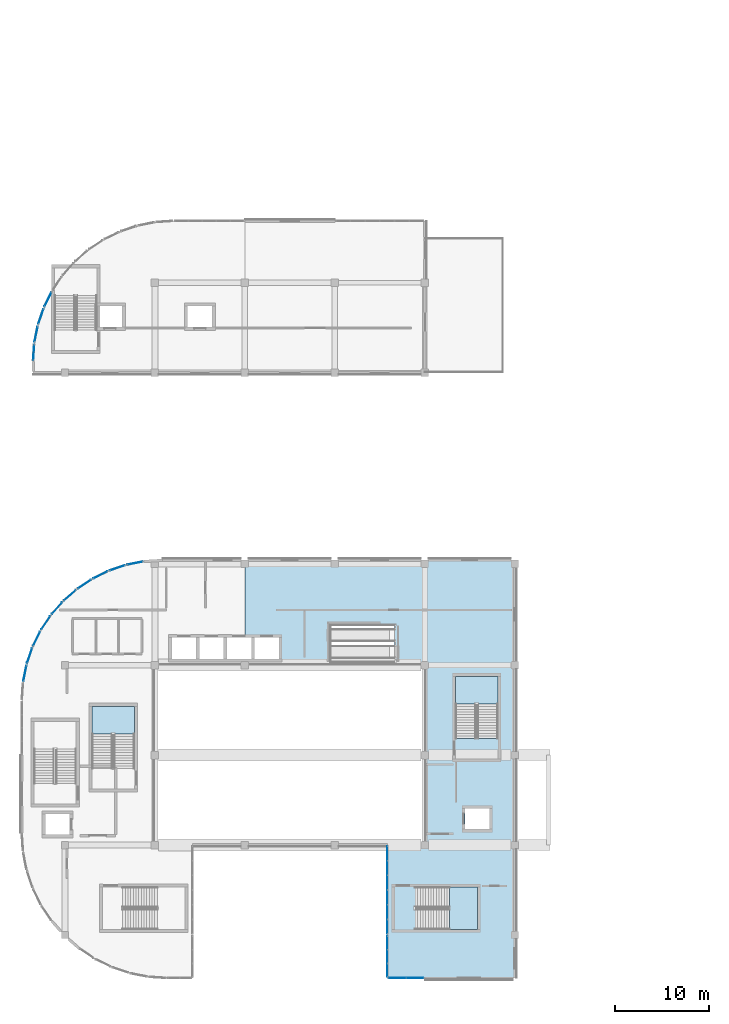
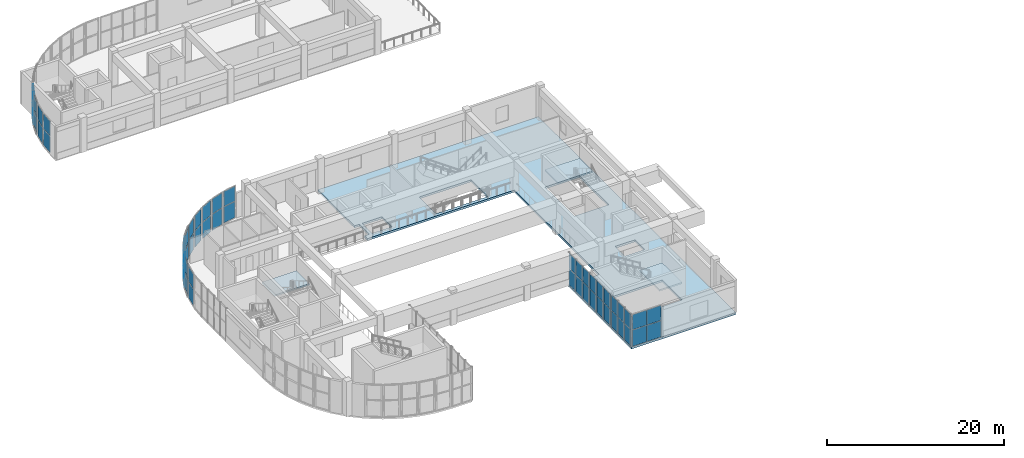
# One storey, part 17 of 33: 50 plates, 4 slabs, 20 elements without a shape of their own.
"""IFC4 building model written with IfcOpenShell, lengths in metres."""

from ifc_helpers import new_model, si_unit, direction, frame, origin, origin_2d, place, context, subcontext, project, spatial, polyline, rectangle, outline, extrude, material, layer, layer_set, type_object, element, aggregate, save


model = new_model("IFC4")

# Units and contexts
model_context = context("Model", 3, precision=1e-05, world=origin(), true_north=direction((0.0, 1.0)))
body_context = subcontext(model_context, "Body", "Model", "MODEL_VIEW")
ifc_project = project(units=[si_unit("LENGTHUNIT", "METRE"), si_unit("AREAUNIT", "SQUARE_METRE"), si_unit("VOLUMEUNIT", "CUBIC_METRE"), si_unit("PLANEANGLEUNIT", "RADIAN"), si_unit("MASSUNIT", "GRAM", prefix="KILO")], contexts=[model_context])

# Site, building, storey
site_placement = place(None, origin())
site = spatial("IfcSite", under=ifc_project, at=site_placement, CompositionType="ELEMENT")
building_placement = place(site_placement, origin())
building = spatial("IfcBuilding", under=site, at=building_placement, Name="Cendralis Terraced Arcade", CompositionType="ELEMENT")
storey_placement = place(building_placement, frame((0.0, 0.0, 19.800048828125)))
storey = spatial("IfcBuildingStorey", under=building, at=storey_placement, Name="L04", CompositionType="ELEMENT", Elevation=19.800048828125)

# Curtain wall, plates
ifc_material_1 = material(Name="Anodised aluminium EN AW-6063 T6", Category="aluminium")
ifc_layer_1 = layer(ifc_material_1, 0.1201171875, Name="CW-STORE-B")
ifc_layer_set_1 = layer_set([ifc_layer_1], Name="Anodised aluminium EN AW-6063 T6")
curtain_wall_type_1 = type_object("IfcCurtainWallType", Name="CW-STORE-B", PredefinedType="USERDEFINED", material=ifc_layer_set_1)
curtain_wall_1_placement = place(storey_placement, origin())
curtain_wall_1 = element("IfcCurtainWall", 1, at=curtain_wall_1_placement, inside=storey, type_object=curtain_wall_type_1, Name="Exterior Storefront Glazing CW-L04-0348", ObjectType="STOREFRONT GLAZING", PredefinedType="USERDEFINED")
ifc_material_2 = material(Name="Tempered solar control laminated glass", Category="glass")
ifc_layer_2 = layer(ifc_material_2, 0.02392578125, Name="CW-STORE-B-PNL")
ifc_layer_set_2 = layer_set([ifc_layer_2], Name="Tempered solar control laminated glass")
plate_type_1 = type_object("IfcPlateType", Name="CW-STORE-B-PNL", PredefinedType="CURTAIN_PANEL", material=ifc_layer_set_2)
plate_1_placement = place(storey_placement, frame((46.941162109375, 5.0, 0.054931640625), z_axis=(0.0, 0.0, 1.0), x_axis=(-1.0, 0.0, 0.0)))
plate_1 = element("IfcPlate", 2, at=plate_1_placement, type_object=plate_type_1, Name="CW-S2 panel 1.1", PredefinedType="CURTAIN_PANEL", context=body_context, shape_type="SweptSolid", body=[
    extrude(rectangle(XDim=1.827392578125, YDim=0.02392578125, at=origin_2d()), origin(), (0.0, 0.0, 1.0), 2.2470703125),
])
plate_2_placement = place(storey_placement, frame((46.941162109375, 5.0, 2.357177734375), z_axis=(0.0, 0.0, 1.0), x_axis=(-1.0, 0.0, 0.0)))
plate_2 = element("IfcPlate", 3, at=plate_2_placement, type_object=plate_type_1, Name="CW-S2 panel 1.2", PredefinedType="CURTAIN_PANEL", context=body_context, shape_type="SweptSolid", body=[
    extrude(rectangle(XDim=1.827392578125, YDim=0.02392578125, at=origin_2d()), origin(), (0.0, 0.0, 1.0), 2.06787109375),
])
plate_3_placement = place(storey_placement, frame((45.058837890625, 5.0, 0.054931640625), z_axis=(0.0, 0.0, 1.0), x_axis=(-1.0, 0.0, 0.0)))
plate_3 = element("IfcPlate", 4, at=plate_3_placement, type_object=plate_type_1, Name="CW-S2 panel 2.1", PredefinedType="CURTAIN_PANEL", context=body_context, shape_type="SweptSolid", body=[
    extrude(rectangle(XDim=1.827392578125, YDim=0.02392578125, at=origin_2d()), origin(), (0.0, 0.0, 1.0), 2.2470703125),
])
plate_4_placement = place(storey_placement, frame((45.058837890625, 5.0, 2.357177734375), z_axis=(0.0, 0.0, 1.0), x_axis=(-1.0, 0.0, 0.0)))
plate_4 = element("IfcPlate", 5, at=plate_4_placement, type_object=plate_type_1, Name="CW-S2 panel 2.2", PredefinedType="CURTAIN_PANEL", context=body_context, shape_type="SweptSolid", body=[
    extrude(rectangle(XDim=1.827392578125, YDim=0.02392578125, at=origin_2d()), origin(), (0.0, 0.0, 1.0), 2.06787109375),
])
aggregate(curtain_wall_1, [plate_1, plate_2, plate_3, plate_4])

curtain_wall_2_placement = place(storey_placement, origin())
curtain_wall_2 = element("IfcCurtainWall", 6, at=curtain_wall_2_placement, inside=storey, type_object=curtain_wall_type_1, Name="Exterior Storefront Glazing CW-L04-0349", ObjectType="STOREFRONT GLAZING", PredefinedType="USERDEFINED")
plate_5_placement = place(storey_placement, frame((44.0, 5.84033203125, 0.054931640625), z_axis=(0.0, 0.0, 1.0), x_axis=(0.0, 1.0, 0.0)))
plate_5 = element("IfcPlate", 7, at=plate_5_placement, type_object=plate_type_1, Name="CW-S2 panel 1.1", PredefinedType="CURTAIN_PANEL", context=body_context, shape_type="SweptSolid", body=[
    extrude(rectangle(XDim=1.390869140625, YDim=0.02392578125, at=origin_2d()), origin(), (0.0, 0.0, 1.0), 2.2470703125),
])
plate_6_placement = place(storey_placement, frame((44.0, 5.84033203125, 2.357177734375), z_axis=(0.0, 0.0, 1.0), x_axis=(0.0, 1.0, 0.0)))
plate_6 = element("IfcPlate", 8, at=plate_6_placement, type_object=plate_type_1, Name="CW-S2 panel 1.2", PredefinedType="CURTAIN_PANEL", context=body_context, shape_type="SweptSolid", body=[
    extrude(rectangle(XDim=1.390869140625, YDim=0.02392578125, at=origin_2d()), origin(), (0.0, 0.0, 1.0), 2.06787109375),
])
plate_7_placement = place(storey_placement, frame((44.0, 7.300048828125, 0.054931640625), z_axis=(0.0, 0.0, 1.0), x_axis=(0.0, 1.0, 0.0)))
plate_7 = element("IfcPlate", 9, at=plate_7_placement, type_object=plate_type_1, Name="CW-S2 panel 2.1", PredefinedType="CURTAIN_PANEL", context=body_context, shape_type="SweptSolid", body=[
    extrude(rectangle(XDim=1.418212890625, YDim=0.02392578125, at=origin_2d()), origin(), (0.0, 0.0, 1.0), 2.2470703125),
])
plate_8_placement = place(storey_placement, frame((44.0, 7.300048828125, 2.357177734375), z_axis=(0.0, 0.0, 1.0), x_axis=(0.0, 1.0, 0.0)))
plate_8 = element("IfcPlate", 10, at=plate_8_placement, type_object=plate_type_1, Name="CW-S2 panel 2.2", PredefinedType="CURTAIN_PANEL", context=body_context, shape_type="SweptSolid", body=[
    extrude(rectangle(XDim=1.418212890625, YDim=0.02392578125, at=origin_2d()), origin(), (0.0, 0.0, 1.0), 2.06787109375),
])
plate_9_placement = place(storey_placement, frame((44.0, 8.759521484375, 0.054931640625), z_axis=(0.0, 0.0, 1.0), x_axis=(0.0, 1.0, 0.0)))
plate_9 = element("IfcPlate", 11, at=plate_9_placement, type_object=plate_type_1, Name="CW-S2 panel 3.1", PredefinedType="CURTAIN_PANEL", context=body_context, shape_type="SweptSolid", body=[
    extrude(rectangle(XDim=1.390869140625, YDim=0.02392578125, at=origin_2d()), origin(), (0.0, 0.0, 1.0), 2.2470703125),
])
plate_10_placement = place(storey_placement, frame((44.0, 8.759521484375, 2.357177734375), z_axis=(0.0, 0.0, 1.0), x_axis=(0.0, 1.0, 0.0)))
plate_10 = element("IfcPlate", 12, at=plate_10_placement, type_object=plate_type_1, Name="CW-S2 panel 3.2", PredefinedType="CURTAIN_PANEL", context=body_context, shape_type="SweptSolid", body=[
    extrude(rectangle(XDim=1.390869140625, YDim=0.02392578125, at=origin_2d()), origin(), (0.0, 0.0, 1.0), 2.06787109375),
])
aggregate(curtain_wall_2, [plate_5, plate_6, plate_7, plate_8, plate_9, plate_10])

curtain_wall_3_placement = place(storey_placement, origin())
curtain_wall_3 = element("IfcCurtainWall", 13, at=curtain_wall_3_placement, inside=storey, type_object=curtain_wall_type_1, Name="Exterior Storefront Glazing CW-L04-0350", ObjectType="STOREFRONT GLAZING", PredefinedType="USERDEFINED")
plate_11_placement = place(storey_placement, frame((44.0, 10.48876953125, 0.054931640625), z_axis=(0.0, 0.0, 1.0), x_axis=(0.0, 1.0, 0.0)))
plate_11 = element("IfcPlate", 14, at=plate_11_placement, type_object=plate_type_1, Name="CW-S2 panel 1.1", PredefinedType="CURTAIN_PANEL", context=body_context, shape_type="SweptSolid", body=[
    extrude(rectangle(XDim=1.487548828125, YDim=0.02392578125, at=origin_2d()), origin(), (0.0, 0.0, 1.0), 2.2470703125),
])
plate_12_placement = place(storey_placement, frame((44.0, 10.48876953125, 2.357177734375), z_axis=(0.0, 0.0, 1.0), x_axis=(0.0, 1.0, 0.0)))
plate_12 = element("IfcPlate", 15, at=plate_12_placement, type_object=plate_type_1, Name="CW-S2 panel 1.2", PredefinedType="CURTAIN_PANEL", context=body_context, shape_type="SweptSolid", body=[
    extrude(rectangle(XDim=1.487548828125, YDim=0.02392578125, at=origin_2d()), origin(), (0.0, 0.0, 1.0), 2.06787109375),
])
plate_13_placement = place(storey_placement, frame((44.0, 12.044921875, 0.054931640625), z_axis=(0.0, 0.0, 1.0), x_axis=(0.0, 1.0, 0.0)))
plate_13 = element("IfcPlate", 16, at=plate_13_placement, type_object=plate_type_1, Name="CW-S2 panel 2.1", PredefinedType="CURTAIN_PANEL", context=body_context, shape_type="SweptSolid", body=[
    extrude(rectangle(XDim=1.514892578125, YDim=0.02392578125, at=origin_2d()), origin(), (0.0, 0.0, 1.0), 2.2470703125),
])
plate_14_placement = place(storey_placement, frame((44.0, 12.044921875, 2.357177734375), z_axis=(0.0, 0.0, 1.0), x_axis=(0.0, 1.0, 0.0)))
plate_14 = element("IfcPlate", 17, at=plate_14_placement, type_object=plate_type_1, Name="CW-S2 panel 2.2", PredefinedType="CURTAIN_PANEL", context=body_context, shape_type="SweptSolid", body=[
    extrude(rectangle(XDim=1.514892578125, YDim=0.02392578125, at=origin_2d()), origin(), (0.0, 0.0, 1.0), 2.06787109375),
])
plate_15_placement = place(storey_placement, frame((44.0, 13.614990234375, 0.054931640625), z_axis=(0.0, 0.0, 1.0), x_axis=(0.0, 1.0, 0.0)))
plate_15 = element("IfcPlate", 18, at=plate_15_placement, type_object=plate_type_1, Name="CW-S2 panel 3.1", PredefinedType="CURTAIN_PANEL", context=body_context, shape_type="SweptSolid", body=[
    extrude(rectangle(XDim=1.514892578125, YDim=0.02392578125, at=origin_2d()), origin(), (0.0, 0.0, 1.0), 2.2470703125),
])
plate_16_placement = place(storey_placement, frame((44.0, 13.614990234375, 2.357177734375), z_axis=(0.0, 0.0, 1.0), x_axis=(0.0, 1.0, 0.0)))
plate_16 = element("IfcPlate", 19, at=plate_16_placement, type_object=plate_type_1, Name="CW-S2 panel 3.2", PredefinedType="CURTAIN_PANEL", context=body_context, shape_type="SweptSolid", body=[
    extrude(rectangle(XDim=1.514892578125, YDim=0.02392578125, at=origin_2d()), origin(), (0.0, 0.0, 1.0), 2.06787109375),
])
plate_17_placement = place(storey_placement, frame((44.0, 15.18505859375, 0.054931640625), z_axis=(0.0, 0.0, 1.0), x_axis=(0.0, 1.0, 0.0)))
plate_17 = element("IfcPlate", 20, at=plate_17_placement, type_object=plate_type_1, Name="CW-S2 panel 4.1", PredefinedType="CURTAIN_PANEL", context=body_context, shape_type="SweptSolid", body=[
    extrude(rectangle(XDim=1.514892578125, YDim=0.02392578125, at=origin_2d()), origin(), (0.0, 0.0, 1.0), 2.2470703125),
])
plate_18_placement = place(storey_placement, frame((44.0, 15.18505859375, 2.357177734375), z_axis=(0.0, 0.0, 1.0), x_axis=(0.0, 1.0, 0.0)))
plate_18 = element("IfcPlate", 21, at=plate_18_placement, type_object=plate_type_1, Name="CW-S2 panel 4.2", PredefinedType="CURTAIN_PANEL", context=body_context, shape_type="SweptSolid", body=[
    extrude(rectangle(XDim=1.514892578125, YDim=0.02392578125, at=origin_2d()), origin(), (0.0, 0.0, 1.0), 2.06787109375),
])
plate_19_placement = place(storey_placement, frame((44.0, 16.7548828125, 0.054931640625), z_axis=(0.0, 0.0, 1.0), x_axis=(0.0, 1.0, 0.0)))
plate_19 = element("IfcPlate", 22, at=plate_19_placement, type_object=plate_type_1, Name="CW-S2 panel 5.1", PredefinedType="CURTAIN_PANEL", context=body_context, shape_type="SweptSolid", body=[
    extrude(rectangle(XDim=1.514892578125, YDim=0.02392578125, at=origin_2d()), origin(), (0.0, 0.0, 1.0), 2.2470703125),
])
plate_20_placement = place(storey_placement, frame((44.0, 16.7548828125, 2.357177734375), z_axis=(0.0, 0.0, 1.0), x_axis=(0.0, 1.0, 0.0)))
plate_20 = element("IfcPlate", 23, at=plate_20_placement, type_object=plate_type_1, Name="CW-S2 panel 5.2", PredefinedType="CURTAIN_PANEL", context=body_context, shape_type="SweptSolid", body=[
    extrude(rectangle(XDim=1.514892578125, YDim=0.02392578125, at=origin_2d()), origin(), (0.0, 0.0, 1.0), 2.06787109375),
])
plate_21_placement = place(storey_placement, frame((44.0, 18.311279296875, 0.054931640625), z_axis=(0.0, 0.0, 1.0), x_axis=(0.0, 1.0, 0.0)))
plate_21 = element("IfcPlate", 24, at=plate_21_placement, type_object=plate_type_1, Name="CW-S2 panel 6.1", PredefinedType="CURTAIN_PANEL", context=body_context, shape_type="SweptSolid", body=[
    extrude(rectangle(XDim=1.487548828125, YDim=0.02392578125, at=origin_2d()), origin(), (0.0, 0.0, 1.0), 2.2470703125),
])
plate_22_placement = place(storey_placement, frame((44.0, 18.311279296875, 2.357177734375), z_axis=(0.0, 0.0, 1.0), x_axis=(0.0, 1.0, 0.0)))
plate_22 = element("IfcPlate", 25, at=plate_22_placement, type_object=plate_type_1, Name="CW-S2 panel 6.2", PredefinedType="CURTAIN_PANEL", context=body_context, shape_type="SweptSolid", body=[
    extrude(rectangle(XDim=1.487548828125, YDim=0.02392578125, at=origin_2d()), origin(), (0.0, 0.0, 1.0), 2.06787109375),
])
aggregate(curtain_wall_3, [plate_11, plate_12, plate_13, plate_14, plate_15, plate_16, plate_17, plate_18, plate_19, plate_20, plate_21, plate_22])

ifc_layer_3 = layer(ifc_material_1, 0.179931640625, Name="CW-UNIT-A")
ifc_layer_set_3 = layer_set([ifc_layer_3], Name="Anodised aluminium EN AW-6063 T6")
curtain_wall_type_2 = type_object("IfcCurtainWallType", Name="CW-UNIT-A", PredefinedType="USERDEFINED", material=ifc_layer_set_3)
curtain_wall_4_placement = place(storey_placement, origin())
curtain_wall_4 = element("IfcCurtainWall", 26, at=curtain_wall_4_placement, inside=storey, type_object=curtain_wall_type_2, Name="Exterior Unitised Facade CW-L04-0338", ObjectType="UNITISED FACADE", PredefinedType="USERDEFINED")
ifc_layer_4 = layer(ifc_material_2, 0.035888671875, Name="CW-UNIT-A-PNL")
ifc_layer_set_4 = layer_set([ifc_layer_4], Name="Tempered solar control laminated glass")
plate_type_2 = type_object("IfcPlateType", Name="CW-UNIT-A-PNL", PredefinedType="CURTAIN_PANEL", material=ifc_layer_set_4)
plate_23_placement = place(storey_placement, frame((5.319580078125, 37.52001953125, 0.06494140625), z_axis=(0.0, 0.0, 1.0), x_axis=(0.195058454434, 0.980791618721, 0.0)))
plate_23 = element("IfcPlate", 27, at=plate_23_placement, type_object=plate_type_2, Name="CW-U1 panel 1.1", PredefinedType="CURTAIN_PANEL", context=body_context, shape_type="SweptSolid", body=[
    extrude(rectangle(XDim=1.652099609375, YDim=0.035888671875, at=origin_2d()), origin(), (0.0, 0.0, 1.0), 2.232177734375),
])
plate_24_placement = place(storey_placement, frame((5.319580078125, 37.52001953125, 2.36181640625), z_axis=(0.0, 0.0, 1.0), x_axis=(0.195058454434, 0.980791618721, 0.0)))
plate_24 = element("IfcPlate", 28, at=plate_24_placement, type_object=plate_type_2, Name="CW-U1 panel 1.2", PredefinedType="CURTAIN_PANEL", context=body_context, shape_type="SweptSolid", body=[
    extrude(rectangle(XDim=1.652099609375, YDim=0.035888671875, at=origin_2d()), origin(), (0.0, 0.0, 1.0), 2.052978515625),
])
aggregate(curtain_wall_4, [plate_23, plate_24])

curtain_wall_5_placement = place(storey_placement, origin())
curtain_wall_5 = element("IfcCurtainWall", 29, at=curtain_wall_5_placement, inside=storey, type_object=curtain_wall_type_2, Name="Exterior Unitised Facade CW-L04-0339", ObjectType="UNITISED FACADE", PredefinedType="USERDEFINED")
plate_25_placement = place(storey_placement, frame((5.826416015625, 39.411376953125, 0.06494140625), z_axis=(0.0, 0.0, 1.0), x_axis=(0.321458077458, 0.946923811316, 0.0)))
plate_25 = element("IfcPlate", 30, at=plate_25_placement, type_object=plate_type_2, Name="CW-U1 panel 1.1", PredefinedType="CURTAIN_PANEL", context=body_context, shape_type="SweptSolid", body=[
    extrude(rectangle(XDim=1.652099609375, YDim=0.035888671875, at=origin_2d()), origin(), (0.0, 0.0, 1.0), 2.232177734375),
])
plate_26_placement = place(storey_placement, frame((5.826416015625, 39.411376953125, 2.36181640625), z_axis=(0.0, 0.0, 1.0), x_axis=(0.321458077458, 0.946923811316, 0.0)))
plate_26 = element("IfcPlate", 31, at=plate_26_placement, type_object=plate_type_2, Name="CW-U1 panel 1.2", PredefinedType="CURTAIN_PANEL", context=body_context, shape_type="SweptSolid", body=[
    extrude(rectangle(XDim=1.652099609375, YDim=0.035888671875, at=origin_2d()), origin(), (0.0, 0.0, 1.0), 2.052978515625),
])
aggregate(curtain_wall_5, [plate_25, plate_26])

curtain_wall_6_placement = place(storey_placement, origin())
curtain_wall_6 = element("IfcCurtainWall", 32, at=curtain_wall_6_placement, inside=storey, type_object=curtain_wall_type_2, Name="Exterior Unitised Facade CW-L04-0340", ObjectType="UNITISED FACADE", PredefinedType="USERDEFINED")
plate_27_placement = place(storey_placement, frame((6.57568359375, 41.22021484375, 0.06494140625), z_axis=(0.0, 0.0, 1.0), x_axis=(0.442291247495, 0.896871480419, 0.0)))
plate_27 = element("IfcPlate", 33, at=plate_27_placement, type_object=plate_type_2, Name="CW-U1 panel 1.1", PredefinedType="CURTAIN_PANEL", context=body_context, shape_type="SweptSolid", body=[
    extrude(rectangle(XDim=1.652099609375, YDim=0.035888671875, at=origin_2d()), origin(), (0.0, 0.0, 1.0), 2.232177734375),
])
plate_28_placement = place(storey_placement, frame((6.57568359375, 41.22021484375, 2.36181640625), z_axis=(0.0, 0.0, 1.0), x_axis=(0.442291247495, 0.896871480419, 0.0)))
plate_28 = element("IfcPlate", 34, at=plate_28_placement, type_object=plate_type_2, Name="CW-U1 panel 1.2", PredefinedType="CURTAIN_PANEL", context=body_context, shape_type="SweptSolid", body=[
    extrude(rectangle(XDim=1.652099609375, YDim=0.035888671875, at=origin_2d()), origin(), (0.0, 0.0, 1.0), 2.052978515625),
])
aggregate(curtain_wall_6, [plate_27, plate_28])

curtain_wall_7_placement = place(storey_placement, origin())
curtain_wall_7 = element("IfcCurtainWall", 35, at=curtain_wall_7_placement, inside=storey, type_object=curtain_wall_type_2, Name="Exterior Unitised Facade CW-L04-0341", ObjectType="UNITISED FACADE", PredefinedType="USERDEFINED")
plate_29_placement = place(storey_placement, frame((7.5546875, 42.915771484375, 0.06494140625), z_axis=(0.0, 0.0, 1.0), x_axis=(0.555567476528, 0.831471454125, 0.0)))
plate_29 = element("IfcPlate", 36, at=plate_29_placement, type_object=plate_type_2, Name="CW-U1 panel 1.1", PredefinedType="CURTAIN_PANEL", context=body_context, shape_type="SweptSolid", body=[
    extrude(rectangle(XDim=1.652099609375, YDim=0.035888671875, at=origin_2d()), origin(), (0.0, 0.0, 1.0), 2.232177734375),
])
plate_30_placement = place(storey_placement, frame((7.5546875, 42.915771484375, 2.36181640625), z_axis=(0.0, 0.0, 1.0), x_axis=(0.555567476528, 0.831471454125, 0.0)))
plate_30 = element("IfcPlate", 37, at=plate_30_placement, type_object=plate_type_2, Name="CW-U1 panel 1.2", PredefinedType="CURTAIN_PANEL", context=body_context, shape_type="SweptSolid", body=[
    extrude(rectangle(XDim=1.652099609375, YDim=0.035888671875, at=origin_2d()), origin(), (0.0, 0.0, 1.0), 2.052978515625),
])
aggregate(curtain_wall_7, [plate_29, plate_30])

curtain_wall_8_placement = place(storey_placement, origin())
curtain_wall_8 = element("IfcCurtainWall", 38, at=curtain_wall_8_placement, inside=storey, type_object=curtain_wall_type_2, Name="Exterior Unitised Facade CW-L04-0342", ObjectType="UNITISED FACADE", PredefinedType="USERDEFINED")
plate_31_placement = place(storey_placement, frame((8.74658203125, 44.468994140625, 0.06494140625), z_axis=(0.0, 0.0, 1.0), x_axis=(0.659386076266, 0.751804497477, 0.0)))
plate_31 = element("IfcPlate", 39, at=plate_31_placement, type_object=plate_type_2, Name="CW-U1 panel 1.1", PredefinedType="CURTAIN_PANEL", context=body_context, shape_type="SweptSolid", body=[
    extrude(rectangle(XDim=1.652099609375, YDim=0.035888671875, at=origin_2d()), origin(), (0.0, 0.0, 1.0), 2.232177734375),
])
plate_32_placement = place(storey_placement, frame((8.74658203125, 44.468994140625, 2.36181640625), z_axis=(0.0, 0.0, 1.0), x_axis=(0.659386076266, 0.751804497477, 0.0)))
plate_32 = element("IfcPlate", 40, at=plate_32_placement, type_object=plate_type_2, Name="CW-U1 panel 1.2", PredefinedType="CURTAIN_PANEL", context=body_context, shape_type="SweptSolid", body=[
    extrude(rectangle(XDim=1.652099609375, YDim=0.035888671875, at=origin_2d()), origin(), (0.0, 0.0, 1.0), 2.052978515625),
])
aggregate(curtain_wall_8, [plate_31, plate_32])

curtain_wall_9_placement = place(storey_placement, origin())
curtain_wall_9 = element("IfcCurtainWall", 41, at=curtain_wall_9_placement, inside=storey, type_object=curtain_wall_type_2, Name="Exterior Unitised Facade CW-L04-0343", ObjectType="UNITISED FACADE", PredefinedType="USERDEFINED")
plate_33_placement = place(storey_placement, frame((10.131103515625, 45.853515625, 0.06494140625), z_axis=(0.0, 0.0, 1.0), x_axis=(0.751804497477, 0.659386076266, 0.0)))
plate_33 = element("IfcPlate", 42, at=plate_33_placement, type_object=plate_type_2, Name="CW-U1 panel 1.1", PredefinedType="CURTAIN_PANEL", context=body_context, shape_type="SweptSolid", body=[
    extrude(rectangle(XDim=1.652099609375, YDim=0.035888671875, at=origin_2d()), origin(), (0.0, 0.0, 1.0), 2.232177734375),
])
plate_34_placement = place(storey_placement, frame((10.131103515625, 45.853515625, 2.36181640625), z_axis=(0.0, 0.0, 1.0), x_axis=(0.751804497477, 0.659386076266, 0.0)))
plate_34 = element("IfcPlate", 43, at=plate_34_placement, type_object=plate_type_2, Name="CW-U1 panel 1.2", PredefinedType="CURTAIN_PANEL", context=body_context, shape_type="SweptSolid", body=[
    extrude(rectangle(XDim=1.652099609375, YDim=0.035888671875, at=origin_2d()), origin(), (0.0, 0.0, 1.0), 2.052978515625),
])
aggregate(curtain_wall_9, [plate_33, plate_34])

curtain_wall_10_placement = place(storey_placement, origin())
curtain_wall_10 = element("IfcCurtainWall", 44, at=curtain_wall_10_placement, inside=storey, type_object=curtain_wall_type_2, Name="Exterior Unitised Facade CW-L04-0344", ObjectType="UNITISED FACADE", PredefinedType="USERDEFINED")
plate_35_placement = place(storey_placement, frame((11.684326171875, 47.04541015625, 0.06494140625), z_axis=(0.0, 0.0, 1.0), x_axis=(0.831471454125, 0.555567476528, 0.0)))
plate_35 = element("IfcPlate", 45, at=plate_35_placement, type_object=plate_type_2, Name="CW-U1 panel 1.1", PredefinedType="CURTAIN_PANEL", context=body_context, shape_type="SweptSolid", body=[
    extrude(rectangle(XDim=1.652099609375, YDim=0.035888671875, at=origin_2d()), origin(), (0.0, 0.0, 1.0), 2.232177734375),
])
plate_36_placement = place(storey_placement, frame((11.684326171875, 47.04541015625, 2.36181640625), z_axis=(0.0, 0.0, 1.0), x_axis=(0.831471454125, 0.555567476528, 0.0)))
plate_36 = element("IfcPlate", 46, at=plate_36_placement, type_object=plate_type_2, Name="CW-U1 panel 1.2", PredefinedType="CURTAIN_PANEL", context=body_context, shape_type="SweptSolid", body=[
    extrude(rectangle(XDim=1.652099609375, YDim=0.035888671875, at=origin_2d()), origin(), (0.0, 0.0, 1.0), 2.052978515625),
])
aggregate(curtain_wall_10, [plate_35, plate_36])

curtain_wall_11_placement = place(storey_placement, origin())
curtain_wall_11 = element("IfcCurtainWall", 47, at=curtain_wall_11_placement, inside=storey, type_object=curtain_wall_type_2, Name="Exterior Unitised Facade CW-L04-0345", ObjectType="UNITISED FACADE", PredefinedType="USERDEFINED")
plate_37_placement = place(storey_placement, frame((13.3798828125, 48.0244140625, 0.06494140625), z_axis=(0.0, 0.0, 1.0), x_axis=(0.896871480419, 0.442291247495, 0.0)))
plate_37 = element("IfcPlate", 48, at=plate_37_placement, type_object=plate_type_2, Name="CW-U1 panel 1.1", PredefinedType="CURTAIN_PANEL", context=body_context, shape_type="SweptSolid", body=[
    extrude(rectangle(XDim=1.652099609375, YDim=0.035888671875, at=origin_2d()), origin(), (0.0, 0.0, 1.0), 2.232177734375),
])
plate_38_placement = place(storey_placement, frame((13.3798828125, 48.0244140625, 2.36181640625), z_axis=(0.0, 0.0, 1.0), x_axis=(0.896871480419, 0.442291247495, 0.0)))
plate_38 = element("IfcPlate", 49, at=plate_38_placement, type_object=plate_type_2, Name="CW-U1 panel 1.2", PredefinedType="CURTAIN_PANEL", context=body_context, shape_type="SweptSolid", body=[
    extrude(rectangle(XDim=1.652099609375, YDim=0.035888671875, at=origin_2d()), origin(), (0.0, 0.0, 1.0), 2.052978515625),
])
aggregate(curtain_wall_11, [plate_37, plate_38])

curtain_wall_12_placement = place(storey_placement, origin())
curtain_wall_12 = element("IfcCurtainWall", 50, at=curtain_wall_12_placement, inside=storey, type_object=curtain_wall_type_2, Name="Exterior Unitised Facade CW-L04-0346", ObjectType="UNITISED FACADE", PredefinedType="USERDEFINED")
plate_39_placement = place(storey_placement, frame((15.188720703125, 48.7734375, 0.06494140625), z_axis=(0.0, 0.0, 1.0), x_axis=(0.946923811316, 0.321458077458, 0.0)))
plate_39 = element("IfcPlate", 51, at=plate_39_placement, type_object=plate_type_2, Name="CW-U1 panel 1.1", PredefinedType="CURTAIN_PANEL", context=body_context, shape_type="SweptSolid", body=[
    extrude(rectangle(XDim=1.652099609375, YDim=0.035888671875, at=origin_2d()), origin(), (0.0, 0.0, 1.0), 2.232177734375),
])
plate_40_placement = place(storey_placement, frame((15.188720703125, 48.7734375, 2.36181640625), z_axis=(0.0, 0.0, 1.0), x_axis=(0.946923811316, 0.321458077458, 0.0)))
plate_40 = element("IfcPlate", 52, at=plate_40_placement, type_object=plate_type_2, Name="CW-U1 panel 1.2", PredefinedType="CURTAIN_PANEL", context=body_context, shape_type="SweptSolid", body=[
    extrude(rectangle(XDim=1.652099609375, YDim=0.035888671875, at=origin_2d()), origin(), (0.0, 0.0, 1.0), 2.052978515625),
])
aggregate(curtain_wall_12, [plate_39, plate_40])

curtain_wall_13_placement = place(storey_placement, origin())
curtain_wall_13 = element("IfcCurtainWall", 53, at=curtain_wall_13_placement, inside=storey, type_object=curtain_wall_type_2, Name="Exterior Unitised Facade CW-L04-0347", ObjectType="UNITISED FACADE", PredefinedType="USERDEFINED")
plate_41_placement = place(storey_placement, frame((17.079833984375, 49.2802734375, 0.06494140625), z_axis=(0.0, 0.0, 1.0), x_axis=(0.980791618721, 0.195058454434, 0.0)))
plate_41 = element("IfcPlate", 54, at=plate_41_placement, type_object=plate_type_2, Name="CW-U1 panel 1.1", PredefinedType="CURTAIN_PANEL", context=body_context, shape_type="SweptSolid", body=[
    extrude(rectangle(XDim=1.652099609375, YDim=0.035888671875, at=origin_2d()), origin(), (0.0, 0.0, 1.0), 2.232177734375),
])
plate_42_placement = place(storey_placement, frame((17.079833984375, 49.2802734375, 2.36181640625), z_axis=(0.0, 0.0, 1.0), x_axis=(0.980791618721, 0.195058454434, 0.0)))
plate_42 = element("IfcPlate", 55, at=plate_42_placement, type_object=plate_type_2, Name="CW-U1 panel 1.2", PredefinedType="CURTAIN_PANEL", context=body_context, shape_type="SweptSolid", body=[
    extrude(rectangle(XDim=1.652099609375, YDim=0.035888671875, at=origin_2d()), origin(), (0.0, 0.0, 1.0), 2.052978515625),
])
aggregate(curtain_wall_13, [plate_41, plate_42])

curtain_wall_14_placement = place(storey_placement, origin())
curtain_wall_14 = element("IfcCurtainWall", 56, at=curtain_wall_14_placement, inside=storey, type_object=curtain_wall_type_2, Name="Exterior Unitised Facade CW-L04-0365", ObjectType="UNITISED FACADE", PredefinedType="USERDEFINED")
plate_43_placement = place(storey_placement, frame((6.519775390625, 73.72021484375, 0.06494140625), z_axis=(0.0, 0.0, 1.0), x_axis=(0.195058454434, 0.980791618721, 0.0)))
plate_43 = element("IfcPlate", 57, at=plate_43_placement, type_object=plate_type_2, Name="CW-U1 panel 1.1", PredefinedType="CURTAIN_PANEL", context=body_context, shape_type="SweptSolid", body=[
    extrude(rectangle(XDim=1.652099609375, YDim=0.035888671875, at=origin_2d()), origin(), (0.0, 0.0, 1.0), 2.232177734375),
])
plate_44_placement = place(storey_placement, frame((6.519775390625, 73.72021484375, 2.36181640625), z_axis=(0.0, 0.0, 1.0), x_axis=(0.195058454434, 0.980791618721, 0.0)))
plate_44 = element("IfcPlate", 58, at=plate_44_placement, type_object=plate_type_2, Name="CW-U1 panel 1.2", PredefinedType="CURTAIN_PANEL", context=body_context, shape_type="SweptSolid", body=[
    extrude(rectangle(XDim=1.652099609375, YDim=0.035888671875, at=origin_2d()), origin(), (0.0, 0.0, 1.0), 2.052978515625),
])
aggregate(curtain_wall_14, [plate_43, plate_44])

curtain_wall_15_placement = place(storey_placement, origin())
curtain_wall_15 = element("IfcCurtainWall", 59, at=curtain_wall_15_placement, inside=storey, type_object=curtain_wall_type_2, Name="Exterior Unitised Facade CW-L04-0366", ObjectType="UNITISED FACADE", PredefinedType="USERDEFINED")
plate_45_placement = place(storey_placement, frame((7.0263671875, 75.611328125, 0.06494140625), z_axis=(0.0, 0.0, 1.0), x_axis=(0.321458077458, 0.946923811316, 0.0)))
plate_45 = element("IfcPlate", 60, at=plate_45_placement, type_object=plate_type_2, Name="CW-U1 panel 1.1", PredefinedType="CURTAIN_PANEL", context=body_context, shape_type="SweptSolid", body=[
    extrude(rectangle(XDim=1.652099609375, YDim=0.035888671875, at=origin_2d()), origin(), (0.0, 0.0, 1.0), 2.232177734375),
])
plate_46_placement = place(storey_placement, frame((7.0263671875, 75.611328125, 2.36181640625), z_axis=(0.0, 0.0, 1.0), x_axis=(0.321458077458, 0.946923811316, 0.0)))
plate_46 = element("IfcPlate", 61, at=plate_46_placement, type_object=plate_type_2, Name="CW-U1 panel 1.2", PredefinedType="CURTAIN_PANEL", context=body_context, shape_type="SweptSolid", body=[
    extrude(rectangle(XDim=1.652099609375, YDim=0.035888671875, at=origin_2d()), origin(), (0.0, 0.0, 1.0), 2.052978515625),
])
aggregate(curtain_wall_15, [plate_45, plate_46])

curtain_wall_16_placement = place(storey_placement, origin())
curtain_wall_16 = element("IfcCurtainWall", 62, at=curtain_wall_16_placement, inside=storey, type_object=curtain_wall_type_2, Name="Exterior Unitised Facade CW-L04-0367", ObjectType="UNITISED FACADE", PredefinedType="USERDEFINED")
plate_47_placement = place(storey_placement, frame((7.775634765625, 77.420166015625, 0.06494140625), z_axis=(0.0, 0.0, 1.0), x_axis=(0.442291247495, 0.896871480419, 0.0)))
plate_47 = element("IfcPlate", 63, at=plate_47_placement, type_object=plate_type_2, Name="CW-U1 panel 1.1", PredefinedType="CURTAIN_PANEL", context=body_context, shape_type="SweptSolid", body=[
    extrude(rectangle(XDim=1.652099609375, YDim=0.035888671875, at=origin_2d()), origin(), (0.0, 0.0, 1.0), 2.232177734375),
])
plate_48_placement = place(storey_placement, frame((7.775634765625, 77.420166015625, 2.36181640625), z_axis=(0.0, 0.0, 1.0), x_axis=(0.442291247495, 0.896871480419, 0.0)))
plate_48 = element("IfcPlate", 64, at=plate_48_placement, type_object=plate_type_2, Name="CW-U1 panel 1.2", PredefinedType="CURTAIN_PANEL", context=body_context, shape_type="SweptSolid", body=[
    extrude(rectangle(XDim=1.652099609375, YDim=0.035888671875, at=origin_2d()), origin(), (0.0, 0.0, 1.0), 2.052978515625),
])
aggregate(curtain_wall_16, [plate_47, plate_48])

curtain_wall_17_placement = place(storey_placement, origin())
curtain_wall_17 = element("IfcCurtainWall", 65, at=curtain_wall_17_placement, inside=storey, type_object=curtain_wall_type_2, Name="Exterior Unitised Facade CW-L04-0378", ObjectType="UNITISED FACADE", PredefinedType="USERDEFINED")
plate_49_placement = place(storey_placement, frame((6.26416015625, 71.779052734375, 0.06494140625), z_axis=(0.0, 0.0, 1.0), x_axis=(0.065371873798, 0.997860971336, 0.0)))
plate_49 = element("IfcPlate", 66, at=plate_49_placement, type_object=plate_type_2, Name="CW-U1 panel 1.1", PredefinedType="CURTAIN_PANEL", context=body_context, shape_type="SweptSolid", body=[
    extrude(rectangle(XDim=1.652099609375, YDim=0.035888671875, at=origin_2d()), origin(), (0.0, 0.0, 1.0), 2.232177734375),
])
plate_50_placement = place(storey_placement, frame((6.26416015625, 71.779052734375, 2.36181640625), z_axis=(0.0, 0.0, 1.0), x_axis=(0.065371873798, 0.997860971336, 0.0)))
plate_50 = element("IfcPlate", 67, at=plate_50_placement, type_object=plate_type_2, Name="CW-U1 panel 1.2", PredefinedType="CURTAIN_PANEL", context=body_context, shape_type="SweptSolid", body=[
    extrude(rectangle(XDim=1.652099609375, YDim=0.035888671875, at=origin_2d()), origin(), (0.0, 0.0, 1.0), 2.052978515625),
])
aggregate(curtain_wall_17, [plate_49, plate_50])

# Slab
ifc_material_3 = material(Name="Concrete f'c 35 MPa", Category="concrete")
ifc_layer_5 = layer(ifc_material_3, 0.280029296875, Name="SLB-L04-280")
ifc_layer_set_5 = layer_set([ifc_layer_5], Name="Concrete f'c 35 MPa")
slab_type_1 = type_object("IfcSlabType", Name="SLB-L04-280", PredefinedType="FLOOR", material=ifc_layer_set_5)
slab_1_placement = place(storey_placement, frame((0.0, 0.0, -0.280029296875)))
element("IfcSlab", 68, at=slab_1_placement, inside=storey, type_object=slab_type_1, Name="Reinforced Concrete Floor Slab SLB-L04-V1-W2-1", PredefinedType="FLOOR", context=body_context, shape_type="SweptSolid", body=[
    extrude(outline(polyline([(44.0, 5.0), (44.0, 19.199951171875), (48.0, 19.199951171875), (48.0, 38.39990234375), (28.820068359375, 38.39990234375), (28.820068359375, 39.074951171875), (29.47998046875, 39.074951171875), (29.47998046875, 41.324951171875), (28.820068359375, 41.324951171875), (28.820068359375, 49.60009765625), (57.60009765625, 49.60009765625), (57.60009765625, 5.0), (44.0, 5.0)]), holes=[polyline([(46.97998046875, 14.699951171875), (46.97998046875, 10.199951171875), (53.60009765625, 10.199951171875), (53.60009765625, 14.699951171875), (46.97998046875, 14.699951171875)]), polyline([(52.300048828125, 23.10009765625), (52.300048828125, 20.89990234375), (54.89990234375, 20.89990234375), (54.89990234375, 23.10009765625), (52.300048828125, 23.10009765625)]), polyline([(55.800048828125, 37.199951171875), (51.300048828125, 37.199951171875), (51.300048828125, 30.580078125), (55.800048828125, 30.580078125), (55.800048828125, 37.199951171875)]), polyline([(32.419921875, 41.324951171875), (29.820068359375, 41.324951171875), (29.820068359375, 39.074951171875), (32.419921875, 39.074951171875), (32.419921875, 41.324951171875)]), polyline([(38.02490234375, 42.60009765625), (38.02490234375, 38.800048828125), (44.77490234375, 38.800048828125), (44.77490234375, 42.60009765625), (38.02490234375, 42.60009765625)])]), origin(), (0.0, 0.0, 1.0), 0.280029296875),
])

# Stair, slab
stair_type = type_object("IfcStairType", Name="STR-W215-H480", PredefinedType="HALF_TURN_STAIR", material=ifc_material_3)
stair_1_placement = place(storey_placement, origin())
stair_1 = element("IfcStair", 69, at=stair_1_placement, inside=storey, type_object=stair_type, Name="L04 Protected Exit Stair ST-03", PredefinedType="HALF_TURN_STAIR")
ifc_layer_6 = layer(ifc_material_3, 0.199951171875, Name="SLB-STAIR-LND-200")
ifc_layer_set_6 = layer_set([ifc_layer_6], Name="Concrete f'c 35 MPa")
slab_type_2 = type_object("IfcSlabType", Name="SLB-STAIR-LND-200", PredefinedType="LANDING", material=ifc_layer_set_6)
slab_2_placement = place(storey_placement, frame((0.0, 0.0, 2.199951171875)))
slab_2 = element("IfcSlab", 70, at=slab_2_placement, type_object=slab_type_2, Name="ST-03 landing 1", PredefinedType="LANDING", context=body_context, shape_type="SweptSolid", body=[
    extrude(outline(polyline([(50.655029296875, 10.199951171875), (53.60009765625, 10.199951171875), (53.60009765625, 14.699951171875), (50.655029296875, 14.699951171875), (50.655029296875, 10.199951171875)])), origin(), (0.0, 0.0, 1.0), 0.199951171875),
])
aggregate(stair_1, [slab_2])

stair_2_placement = place(storey_placement, origin())
stair_2 = element("IfcStair", 71, at=stair_2_placement, inside=storey, type_object=stair_type, Name="L04 Protected Exit Stair ST-04", PredefinedType="HALF_TURN_STAIR")
slab_3_placement = place(storey_placement, frame((0.0, 0.0, 2.199951171875)))
slab_3 = element("IfcSlab", 72, at=slab_3_placement, type_object=slab_type_2, Name="ST-04 landing 1", PredefinedType="LANDING", context=body_context, shape_type="SweptSolid", body=[
    extrude(outline(polyline([(55.800048828125, 34.2548828125), (55.800048828125, 37.199951171875), (51.300048828125, 37.199951171875), (51.300048828125, 34.2548828125), (55.800048828125, 34.2548828125)])), origin(), (0.0, 0.0, 1.0), 0.199951171875),
])
aggregate(stair_2, [slab_3])

stair_3_placement = place(storey_placement, origin())
stair_3 = element("IfcStair", 73, at=stair_3_placement, inside=storey, type_object=stair_type, Name="L04 Protected Exit Stair ST-05", PredefinedType="HALF_TURN_STAIR")
slab_4_placement = place(storey_placement, frame((0.0, 0.0, 2.199951171875)))
slab_4 = element("IfcSlab", 74, at=slab_4_placement, type_object=slab_type_2, Name="ST-05 landing 1", PredefinedType="LANDING", context=body_context, shape_type="SweptSolid", body=[
    extrude(outline(polyline([(17.0, 31.054931640625), (17.0, 34.0), (12.5, 34.0), (12.5, 31.054931640625), (17.0, 31.054931640625)])), origin(), (0.0, 0.0, 1.0), 0.199951171875),
])
aggregate(stair_3, [slab_4])

save(model, "model.ifc")
